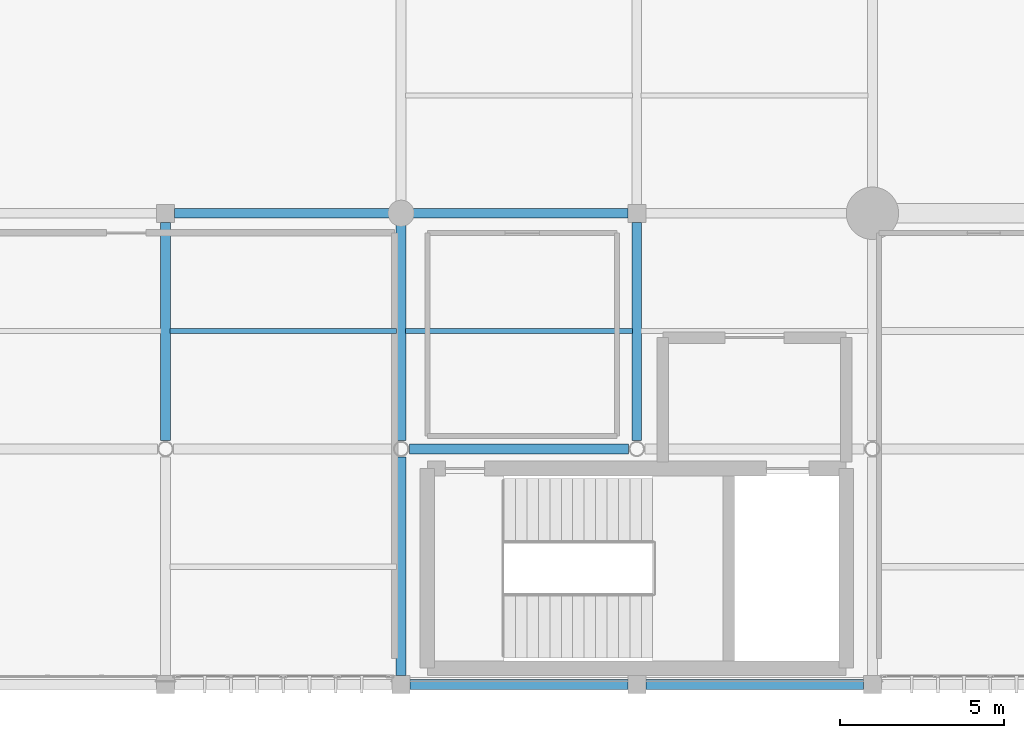
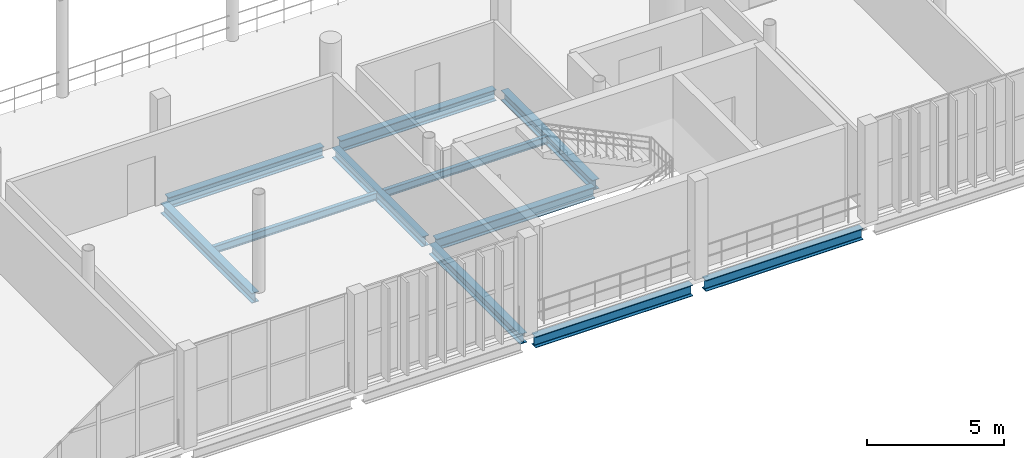
# One storey, part 28 of 81: 11 beams.
"""IFC4 building model written with IfcOpenShell, lengths in metres."""

from ifc_helpers import new_model, si_unit, direction, frame, origin, origin_2d, place, context, subcontext, project, spatial, i_section, extrude, material, material_profile, profile_set, type_object, element, save


model = new_model("IFC4")

# Units and contexts
model_context = context("Model", 3, precision=1e-05, world=origin(), true_north=direction((0.0, 1.0)))
body_context = subcontext(model_context, "Body", "Model", "MODEL_VIEW")
ifc_project = project(units=[si_unit("LENGTHUNIT", "METRE"), si_unit("AREAUNIT", "SQUARE_METRE"), si_unit("VOLUMEUNIT", "CUBIC_METRE"), si_unit("PLANEANGLEUNIT", "RADIAN"), si_unit("MASSUNIT", "GRAM", prefix="KILO")], contexts=[model_context])

# Site, building, storey
site_placement = place(None, origin())
site = spatial("IfcSite", under=ifc_project, at=site_placement, CompositionType="ELEMENT")
building_placement = place(site_placement, origin())
building = spatial("IfcBuilding", under=site, at=building_placement, Name="Qandorah Velis Arena", CompositionType="ELEMENT")
storey_placement = place(building_placement, frame((0.0, 0.0, 18.60009765625)))
storey = spatial("IfcBuildingStorey", under=building, at=storey_placement, Name="L04", CompositionType="ELEMENT", Elevation=18.60009765625)

# Beams
ifc_material = material(Name="Steel S355", Category="steel")
ifc_material_profile_1 = material_profile(ifc_material, i_section(OverallWidth=0.300048828125, OverallDepth=0.449951171875, WebThickness=0.013916015625, FlangeThickness=0.02587890625, FilletRadius=0.027099609375, at=origin_2d()), Name="HEB 450")
ifc_profile_set_1 = profile_set([ifc_material_profile_1], Name="Steel S355")
beam_type_1 = type_object("IfcBeamType", Name="STR-BM-HEB450", PredefinedType="BEAM", material=ifc_profile_set_1)
for number, where, z_axis, x_axis, name in (
    (1, (64.800048828125, 7.449951171875, -0.4951171875), (0.0, 1.0, 0.0), (-1.0, 0.0, 0.0), "Primary floor girder L04 Y-217"),
    (2, (72.0, 0.27490234375, -0.4951171875), (0.0, 1.0, 0.0), (-1.0, 0.0, 0.0), "Primary floor girder L04 Y-220"),
):
    element("IfcBeam", number, at=place(storey_placement, frame(where, z_axis=z_axis, x_axis=x_axis)), inside=storey, type_object=beam_type_1, Name=name, PredefinedType="BEAM", context=body_context, shape_type="SweptSolid", body=[
        extrude(i_section(OverallWidth=0.300048828125, OverallDepth=0.449951171875, WebThickness=0.013916015625, FlangeThickness=0.02587890625, FilletRadius=0.027099609375, at=origin_2d()), origin(), (0.0, 0.0, 1.0), 6.675048828125),
    ])
beam_1_placement = place(storey_placement, frame((72.0, 7.449951171875, -0.4951171875), z_axis=(0.0, 1.0, 0.0), x_axis=(-1.0, 0.0, 0.0)))
element("IfcBeam", 3, at=beam_1_placement, inside=storey, type_object=beam_type_1, Name="Primary floor girder L04 Y-221", PredefinedType="BEAM", context=body_context, shape_type="SweptSolid", body=[
    extrude(i_section(OverallWidth=0.300048828125, OverallDepth=0.449951171875, WebThickness=0.013916015625, FlangeThickness=0.02587890625, FilletRadius=0.027099609375, at=origin_2d()), origin(), (0.0, 0.0, 1.0), 6.60009765625),
])
beam_2_placement = place(storey_placement, frame((79.199951171875, 7.449951171875, -0.4951171875), z_axis=(0.0, 1.0, 0.0), x_axis=(-1.0, 0.0, 0.0)))
element("IfcBeam", 4, at=beam_2_placement, inside=storey, type_object=beam_type_1, Name="Primary floor girder L04 Y-226", PredefinedType="BEAM", context=body_context, shape_type="SweptSolid", body=[
    extrude(i_section(OverallWidth=0.300048828125, OverallDepth=0.449951171875, WebThickness=0.013916015625, FlangeThickness=0.02587890625, FilletRadius=0.027099609375, at=origin_2d()), origin(), (0.0, 0.0, 1.0), 6.675048828125),
])
ifc_material_profile_2 = material_profile(ifc_material, i_section(OverallWidth=0.300048828125, OverallDepth=0.5, WebThickness=0.014404296875, FlangeThickness=0.028076171875, FilletRadius=0.027099609375, at=origin_2d()), Name="HEB 500")
ifc_profile_set_2 = profile_set([ifc_material_profile_2], Name="Steel S355")
beam_type_2 = type_object("IfcBeamType", Name="STR-BM-HEB500", PredefinedType="BEAM", material=ifc_profile_set_2)
beam_3_placement = place(storey_placement, frame((72.27490234375, 0.0, -0.52001953125), z_axis=(1.0, 0.0, 0.0), x_axis=(0.0, 1.0, 0.0)))
element("IfcBeam", 5, at=beam_3_placement, inside=storey, type_object=beam_type_2, Name="Primary floor girder L04 X-007", PredefinedType="BEAM", context=body_context, shape_type="SweptSolid", body=[
    extrude(i_section(OverallWidth=0.300048828125, OverallDepth=0.5, WebThickness=0.014404296875, FlangeThickness=0.028076171875, FilletRadius=0.027099609375, at=origin_2d()), origin(), (0.0, 0.0, 1.0), 6.650146484375),
])
beam_4_placement = place(storey_placement, frame((79.47509765625, 0.0, -0.52001953125), z_axis=(1.0, 0.0, 0.0), x_axis=(0.0, 1.0, 0.0)))
element("IfcBeam", 6, at=beam_4_placement, inside=storey, type_object=beam_type_2, Name="Primary floor girder L04 X-008", PredefinedType="BEAM", context=body_context, shape_type="SweptSolid", body=[
    extrude(i_section(OverallWidth=0.300048828125, OverallDepth=0.5, WebThickness=0.014404296875, FlangeThickness=0.028076171875, FilletRadius=0.027099609375, at=origin_2d()), origin(), (0.0, 0.0, 1.0), 6.64990234375),
])
beam_5_placement = place(storey_placement, frame((72.25, 7.199951171875, -0.52001953125), z_axis=(1.0, 0.0, 0.0), x_axis=(0.0, 1.0, 0.0)))
element("IfcBeam", 7, at=beam_5_placement, inside=storey, type_object=beam_type_2, Name="Primary floor girder L04 X-019", PredefinedType="BEAM", context=body_context, shape_type="SweptSolid", body=[
    extrude(i_section(OverallWidth=0.300048828125, OverallDepth=0.5, WebThickness=0.014404296875, FlangeThickness=0.028076171875, FilletRadius=0.027099609375, at=origin_2d()), origin(), (0.0, 0.0, 1.0), 6.699951171875),
])
for number, where, z_axis, x_axis, name in (
    (8, (65.074951171875, 14.39990234375, -0.52001953125), (1.0, 0.0, 0.0), (0.0, 1.0, 0.0), "Primary floor girder L04 X-031"),
    (9, (72.35009765625, 14.39990234375, -0.52001953125), (1.0, 0.0, 0.0), (0.0, 1.0, 0.0), "Primary floor girder L04 X-032"),
):
    element("IfcBeam", number, at=place(storey_placement, frame(where, z_axis=z_axis, x_axis=x_axis)), inside=storey, type_object=beam_type_2, Name=name, PredefinedType="BEAM", context=body_context, shape_type="SweptSolid", body=[
        extrude(i_section(OverallWidth=0.300048828125, OverallDepth=0.5, WebThickness=0.014404296875, FlangeThickness=0.028076171875, FilletRadius=0.027099609375, at=origin_2d()), origin(), (0.0, 0.0, 1.0), 6.574951171875),
    ])
ifc_material_profile_3 = material_profile(ifc_material, i_section(OverallWidth=0.159912109375, OverallDepth=0.330078125, WebThickness=0.007568359375, FlangeThickness=0.011474609375, FilletRadius=0.01806640625, at=origin_2d()), Name="IPE 330")
ifc_profile_set_3 = profile_set([ifc_material_profile_3], Name="Steel S355")
beam_type_3 = type_object("IfcBeamType", Name="STR-JST-IPE330", PredefinedType="JOIST", material=ifc_profile_set_3)
for number, where, z_axis, x_axis, name in (
    (10, (64.93505859375, 10.800048828125, -0.43505859375), (1.0, 0.0, 0.0), (0.0, 1.0, 0.0), "Secondary floor joist L04-046"),
    (11, (72.135009765625, 10.800048828125, -0.43505859375), (1.0, 0.0, 0.0), (0.0, 1.0, 0.0), "Secondary floor joist L04-049"),
):
    element("IfcBeam", number, at=place(storey_placement, frame(where, z_axis=z_axis, x_axis=x_axis)), inside=storey, type_object=beam_type_3, Name=name, PredefinedType="JOIST", context=body_context, shape_type="SweptSolid", body=[
        extrude(i_section(OverallWidth=0.159912109375, OverallDepth=0.330078125, WebThickness=0.007568359375, FlangeThickness=0.011474609375, FilletRadius=0.01806640625, at=origin_2d()), origin(), (0.0, 0.0, 1.0), 6.929931640625),
    ])

save(model, "model.ifc")
